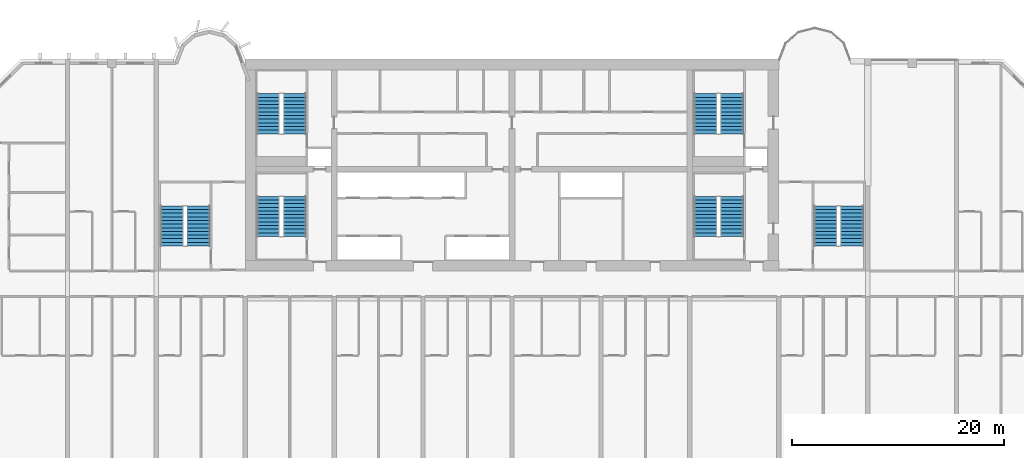
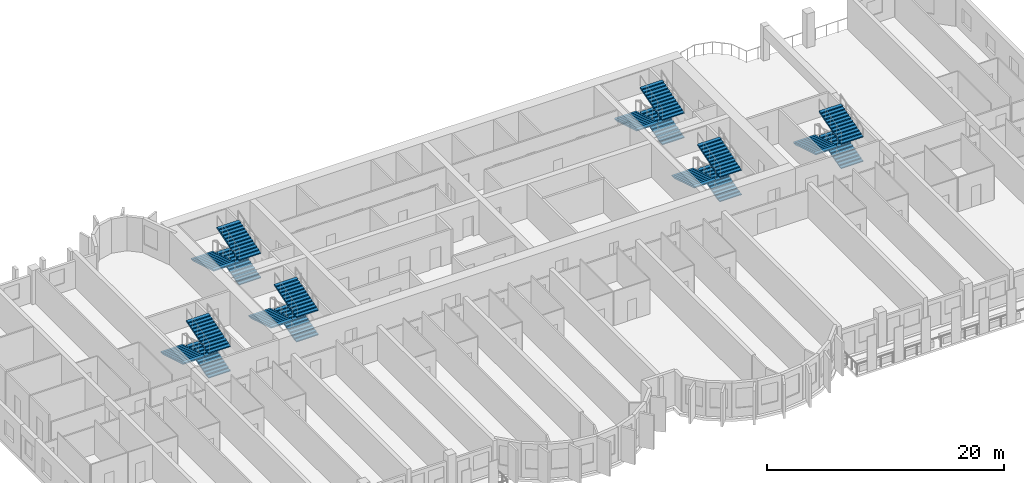
# One storey, part 11 of 14: 18 stair flights, 6 elements without a shape of their own.
"""IFC4 building model written with IfcOpenShell, lengths in metres."""

from ifc_helpers import new_model, si_unit, direction, frame, origin, place, context, subcontext, project, spatial, polyline, outline, extrude, source, transform, mapped, material, type_object, element, aggregate, save


model = new_model("IFC4")

# Units and contexts
model_context = context("Model", 3, precision=1e-05, world=origin(), true_north=direction((0.0, 1.0)))
body_context = subcontext(model_context, "Body", "Model", "MODEL_VIEW")
ifc_project = project(units=[si_unit("LENGTHUNIT", "METRE"), si_unit("AREAUNIT", "SQUARE_METRE"), si_unit("VOLUMEUNIT", "CUBIC_METRE"), si_unit("PLANEANGLEUNIT", "RADIAN"), si_unit("MASSUNIT", "GRAM", prefix="KILO")], contexts=[model_context])

# Site, building, storey
site_placement = place(None, origin())
site = spatial("IfcSite", under=ifc_project, at=site_placement, CompositionType="ELEMENT")
building_placement = place(site_placement, origin())
building = spatial("IfcBuilding", under=site, at=building_placement, Name="Vanashikhar Sky Hotel", CompositionType="ELEMENT")
storey_placement = place(building_placement, frame((0.0, 0.0, 73.39990234375)))
storey = spatial("IfcBuildingStorey", under=building, at=storey_placement, Name="L17", CompositionType="ELEMENT", Elevation=73.39990234375)

# Stair, stair flights
ifc_material = material(Name="Concrete M40", Category="concrete")
stair_type = type_object("IfcStairType", Name="Exit stair 2150", PredefinedType="DOUBLE_RETURN_STAIR", material=ifc_material)
stair_1_placement = place(storey_placement, origin())
stair_1 = element("IfcStair", 1, at=stair_1_placement, inside=storey, type_object=stair_type, Name="L17 Exit stair 1", PredefinedType="DOUBLE_RETURN_STAIR")
stair_flight_type = type_object("IfcStairFlightType", Name="Stair flight 2150", PredefinedType="STRAIGHT", material=ifc_material)
shared_shape = source(origin(), body_context, "Body", "SweptSolid", [
    extrude(outline(polyline([(0.0, 0.0), (0.0, 0.10546875), (0.345458984375, 0.10546875), (0.345458984375, 0.211181640625), (0.69091796875, 0.211181640625), (0.69091796875, 0.316650390625), (1.036376953125, 0.316650390625), (1.036376953125, 0.422119140625), (1.3818359375, 0.422119140625), (1.3818359375, 0.52783203125), (1.727294921875, 0.52783203125), (1.727294921875, 0.63330078125), (2.07275390625, 0.63330078125), (2.07275390625, 0.73876953125), (2.418212890625, 0.73876953125), (2.418212890625, 0.844482421875), (2.763671875, 0.844482421875), (2.763671875, 0.949951171875), (3.109130859375, 0.949951171875), (3.109130859375, 1.0556640625), (3.45458984375, 1.0556640625), (3.45458984375, 1.1611328125), (3.800048828125, 1.1611328125), (3.800048828125, 1.2666015625), (3.800048828125, 1.035400390625), (0.4111328125, 0.0), (0.0, 0.0)])), frame((0.0, 1.074951171875, 0.0), z_axis=(0.0, -1.0, 0.0), x_axis=(1.0, 0.0, 0.0)), (0.0, 0.0, 1.0), 2.14990234375),
])
stair_flight_1_placement = place(storey_placement, frame((29.875, 25.25, 0.0), z_axis=(0.0, 0.0, 1.0), x_axis=(0.0, 1.0, 0.0)))
stair_flight_1 = element("IfcStairFlight", 2, at=stair_flight_1_placement, type_object=stair_flight_type, Name="ST-C1 flight 1", NumberOfRisers=12, NumberOfTreads=11, PredefinedType="STRAIGHT", RiserHeight=0.105555556, TreadLength=0.345454545, context=body_context, shape_type="MappedRepresentation", body=[
    mapped(shared_shape, transform((0.0, 0.0, 0.0), scale=1.0)),
])
stair_flight_2_placement = place(storey_placement, frame((27.375, 29.050048828125, 1.266845703125), z_axis=(0.0, 0.0, 1.0), x_axis=(0.0, -1.0, 0.0)))
stair_flight_2 = element("IfcStairFlight", 3, at=stair_flight_2_placement, type_object=stair_flight_type, Name="ST-C1 flight 2", NumberOfRisers=12, NumberOfTreads=11, PredefinedType="STRAIGHT", RiserHeight=0.105555556, TreadLength=0.345454545, context=body_context, shape_type="MappedRepresentation", body=[
    mapped(shared_shape, transform((0.0, 0.0, 0.0), scale=1.0)),
])
stair_flight_3_placement = place(storey_placement, frame((29.875, 25.25, 2.533447265625), z_axis=(0.0, 0.0, 1.0), x_axis=(0.0, 1.0, 0.0)))
stair_flight_3 = element("IfcStairFlight", 4, at=stair_flight_3_placement, type_object=stair_flight_type, Name="ST-C1 flight 3", NumberOfRisers=12, NumberOfTreads=11, PredefinedType="STRAIGHT", RiserHeight=0.105555556, TreadLength=0.345454545, context=body_context, shape_type="MappedRepresentation", body=[
    mapped(shared_shape, transform((0.0, 0.0, 0.0), scale=1.0)),
])
aggregate(stair_1, [stair_flight_1, stair_flight_2, stair_flight_3])

stair_2_placement = place(storey_placement, origin())
stair_2 = element("IfcStair", 5, at=stair_2_placement, inside=storey, type_object=stair_type, Name="L17 Exit stair 2", PredefinedType="DOUBLE_RETURN_STAIR")
stair_flight_4_placement = place(storey_placement, frame((71.175048828125, 25.25, 0.0), z_axis=(0.0, 0.0, 1.0), x_axis=(0.0, 1.0, 0.0)))
stair_flight_4 = element("IfcStairFlight", 6, at=stair_flight_4_placement, type_object=stair_flight_type, Name="ST-C2 flight 1", NumberOfRisers=12, NumberOfTreads=11, PredefinedType="STRAIGHT", RiserHeight=0.105555556, TreadLength=0.345454545, context=body_context, shape_type="MappedRepresentation", body=[
    mapped(shared_shape, transform((0.0, 0.0, 0.0), scale=1.0)),
])
stair_flight_5_placement = place(storey_placement, frame((68.675048828125, 29.050048828125, 1.266845703125), z_axis=(0.0, 0.0, 1.0), x_axis=(0.0, -1.0, 0.0)))
stair_flight_5 = element("IfcStairFlight", 7, at=stair_flight_5_placement, type_object=stair_flight_type, Name="ST-C2 flight 2", NumberOfRisers=12, NumberOfTreads=11, PredefinedType="STRAIGHT", RiserHeight=0.105555556, TreadLength=0.345454545, context=body_context, shape_type="MappedRepresentation", body=[
    mapped(shared_shape, transform((0.0, 0.0, 0.0), scale=1.0)),
])
stair_flight_6_placement = place(storey_placement, frame((71.175048828125, 25.25, 2.533447265625), z_axis=(0.0, 0.0, 1.0), x_axis=(0.0, 1.0, 0.0)))
stair_flight_6 = element("IfcStairFlight", 8, at=stair_flight_6_placement, type_object=stair_flight_type, Name="ST-C2 flight 3", NumberOfRisers=12, NumberOfTreads=11, PredefinedType="STRAIGHT", RiserHeight=0.105555556, TreadLength=0.345454545, context=body_context, shape_type="MappedRepresentation", body=[
    mapped(shared_shape, transform((0.0, 0.0, 0.0), scale=1.0)),
])
aggregate(stair_2, [stair_flight_4, stair_flight_5, stair_flight_6])

stair_3_placement = place(storey_placement, origin())
stair_3 = element("IfcStair", 9, at=stair_3_placement, inside=storey, type_object=stair_type, Name="L17 Exit stair 3", PredefinedType="DOUBLE_RETURN_STAIR")
stair_flight_7_placement = place(storey_placement, frame((20.77490234375, 24.35009765625, 0.0), z_axis=(0.0, 0.0, 1.0), x_axis=(0.0, 1.0, 0.0)))
stair_flight_7 = element("IfcStairFlight", 10, at=stair_flight_7_placement, type_object=stair_flight_type, Name="ST-W flight 1", NumberOfRisers=12, NumberOfTreads=11, PredefinedType="STRAIGHT", RiserHeight=0.105555556, TreadLength=0.345454545, context=body_context, shape_type="MappedRepresentation", body=[
    mapped(shared_shape, transform((0.0, 0.0, 0.0), scale=1.0)),
])
stair_flight_8_placement = place(storey_placement, frame((18.27490234375, 28.14990234375, 1.266845703125), z_axis=(0.0, 0.0, 1.0), x_axis=(0.0, -1.0, 0.0)))
stair_flight_8 = element("IfcStairFlight", 11, at=stair_flight_8_placement, type_object=stair_flight_type, Name="ST-W flight 2", NumberOfRisers=12, NumberOfTreads=11, PredefinedType="STRAIGHT", RiserHeight=0.105555556, TreadLength=0.345454545, context=body_context, shape_type="MappedRepresentation", body=[
    mapped(shared_shape, transform((0.0, 0.0, 0.0), scale=1.0)),
])
stair_flight_9_placement = place(storey_placement, frame((20.77490234375, 24.35009765625, 2.533447265625), z_axis=(0.0, 0.0, 1.0), x_axis=(0.0, 1.0, 0.0)))
stair_flight_9 = element("IfcStairFlight", 12, at=stair_flight_9_placement, type_object=stair_flight_type, Name="ST-W flight 3", NumberOfRisers=12, NumberOfTreads=11, PredefinedType="STRAIGHT", RiserHeight=0.105555556, TreadLength=0.345454545, context=body_context, shape_type="MappedRepresentation", body=[
    mapped(shared_shape, transform((0.0, 0.0, 0.0), scale=1.0)),
])
aggregate(stair_3, [stair_flight_7, stair_flight_8, stair_flight_9])

stair_4_placement = place(storey_placement, origin())
stair_4 = element("IfcStair", 13, at=stair_4_placement, inside=storey, type_object=stair_type, Name="L17 Exit stair 4", PredefinedType="DOUBLE_RETURN_STAIR")
stair_flight_10_placement = place(storey_placement, frame((82.52490234375, 24.35009765625, 0.0), z_axis=(0.0, 0.0, 1.0), x_axis=(0.0, 1.0, 0.0)))
stair_flight_10 = element("IfcStairFlight", 14, at=stair_flight_10_placement, type_object=stair_flight_type, Name="ST-E flight 1", NumberOfRisers=12, NumberOfTreads=11, PredefinedType="STRAIGHT", RiserHeight=0.105555556, TreadLength=0.345454545, context=body_context, shape_type="MappedRepresentation", body=[
    mapped(shared_shape, transform((0.0, 0.0, 0.0), scale=1.0)),
])
stair_flight_11_placement = place(storey_placement, frame((80.02490234375, 28.14990234375, 1.266845703125), z_axis=(0.0, 0.0, 1.0), x_axis=(0.0, -1.0, 0.0)))
stair_flight_11 = element("IfcStairFlight", 15, at=stair_flight_11_placement, type_object=stair_flight_type, Name="ST-E flight 2", NumberOfRisers=12, NumberOfTreads=11, PredefinedType="STRAIGHT", RiserHeight=0.105555556, TreadLength=0.345454545, context=body_context, shape_type="MappedRepresentation", body=[
    mapped(shared_shape, transform((0.0, 0.0, 0.0), scale=1.0)),
])
stair_flight_12_placement = place(storey_placement, frame((82.52490234375, 24.35009765625, 2.533447265625), z_axis=(0.0, 0.0, 1.0), x_axis=(0.0, 1.0, 0.0)))
stair_flight_12 = element("IfcStairFlight", 16, at=stair_flight_12_placement, type_object=stair_flight_type, Name="ST-E flight 3", NumberOfRisers=12, NumberOfTreads=11, PredefinedType="STRAIGHT", RiserHeight=0.105555556, TreadLength=0.345454545, context=body_context, shape_type="MappedRepresentation", body=[
    mapped(shared_shape, transform((0.0, 0.0, 0.0), scale=1.0)),
])
aggregate(stair_4, [stair_flight_10, stair_flight_11, stair_flight_12])

stair_5_placement = place(storey_placement, origin())
stair_5 = element("IfcStair", 17, at=stair_5_placement, inside=storey, type_object=stair_type, Name="L17 Exit stair 5", PredefinedType="DOUBLE_RETURN_STAIR")
stair_flight_13_placement = place(storey_placement, frame((29.875, 34.949951171875, 0.0), z_axis=(0.0, 0.0, 1.0), x_axis=(0.0, 1.0, 0.0)))
stair_flight_13 = element("IfcStairFlight", 18, at=stair_flight_13_placement, type_object=stair_flight_type, Name="ST-C3 flight 1", NumberOfRisers=12, NumberOfTreads=11, PredefinedType="STRAIGHT", RiserHeight=0.105555556, TreadLength=0.345454545, context=body_context, shape_type="MappedRepresentation", body=[
    mapped(shared_shape, transform((0.0, 0.0, 0.0), scale=1.0)),
])
stair_flight_14_placement = place(storey_placement, frame((27.375, 38.75, 1.266845703125), z_axis=(0.0, 0.0, 1.0), x_axis=(0.0, -1.0, 0.0)))
stair_flight_14 = element("IfcStairFlight", 19, at=stair_flight_14_placement, type_object=stair_flight_type, Name="ST-C3 flight 2", NumberOfRisers=12, NumberOfTreads=11, PredefinedType="STRAIGHT", RiserHeight=0.105555556, TreadLength=0.345454545, context=body_context, shape_type="MappedRepresentation", body=[
    mapped(shared_shape, transform((0.0, 0.0, 0.0), scale=1.0)),
])
stair_flight_15_placement = place(storey_placement, frame((29.875, 34.949951171875, 2.533447265625), z_axis=(0.0, 0.0, 1.0), x_axis=(0.0, 1.0, 0.0)))
stair_flight_15 = element("IfcStairFlight", 20, at=stair_flight_15_placement, type_object=stair_flight_type, Name="ST-C3 flight 3", NumberOfRisers=12, NumberOfTreads=11, PredefinedType="STRAIGHT", RiserHeight=0.105555556, TreadLength=0.345454545, context=body_context, shape_type="MappedRepresentation", body=[
    mapped(shared_shape, transform((0.0, 0.0, 0.0), scale=1.0)),
])
aggregate(stair_5, [stair_flight_13, stair_flight_14, stair_flight_15])

stair_6_placement = place(storey_placement, origin())
stair_6 = element("IfcStair", 21, at=stair_6_placement, inside=storey, type_object=stair_type, Name="L17 Exit stair 6", PredefinedType="DOUBLE_RETURN_STAIR")
stair_flight_16_placement = place(storey_placement, frame((71.175048828125, 34.949951171875, 0.0), z_axis=(0.0, 0.0, 1.0), x_axis=(0.0, 1.0, 0.0)))
stair_flight_16 = element("IfcStairFlight", 22, at=stair_flight_16_placement, type_object=stair_flight_type, Name="ST-C4 flight 1", NumberOfRisers=12, NumberOfTreads=11, PredefinedType="STRAIGHT", RiserHeight=0.105555556, TreadLength=0.345454545, context=body_context, shape_type="MappedRepresentation", body=[
    mapped(shared_shape, transform((0.0, 0.0, 0.0), scale=1.0)),
])
stair_flight_17_placement = place(storey_placement, frame((68.675048828125, 38.75, 1.266845703125), z_axis=(0.0, 0.0, 1.0), x_axis=(0.0, -1.0, 0.0)))
stair_flight_17 = element("IfcStairFlight", 23, at=stair_flight_17_placement, type_object=stair_flight_type, Name="ST-C4 flight 2", NumberOfRisers=12, NumberOfTreads=11, PredefinedType="STRAIGHT", RiserHeight=0.105555556, TreadLength=0.345454545, context=body_context, shape_type="MappedRepresentation", body=[
    mapped(shared_shape, transform((0.0, 0.0, 0.0), scale=1.0)),
])
stair_flight_18_placement = place(storey_placement, frame((71.175048828125, 34.949951171875, 2.533447265625), z_axis=(0.0, 0.0, 1.0), x_axis=(0.0, 1.0, 0.0)))
stair_flight_18 = element("IfcStairFlight", 24, at=stair_flight_18_placement, type_object=stair_flight_type, Name="ST-C4 flight 3", NumberOfRisers=12, NumberOfTreads=11, PredefinedType="STRAIGHT", RiserHeight=0.105555556, TreadLength=0.345454545, context=body_context, shape_type="MappedRepresentation", body=[
    mapped(shared_shape, transform((0.0, 0.0, 0.0), scale=1.0)),
])
aggregate(stair_6, [stair_flight_16, stair_flight_17, stair_flight_18])

save(model, "model.ifc")
